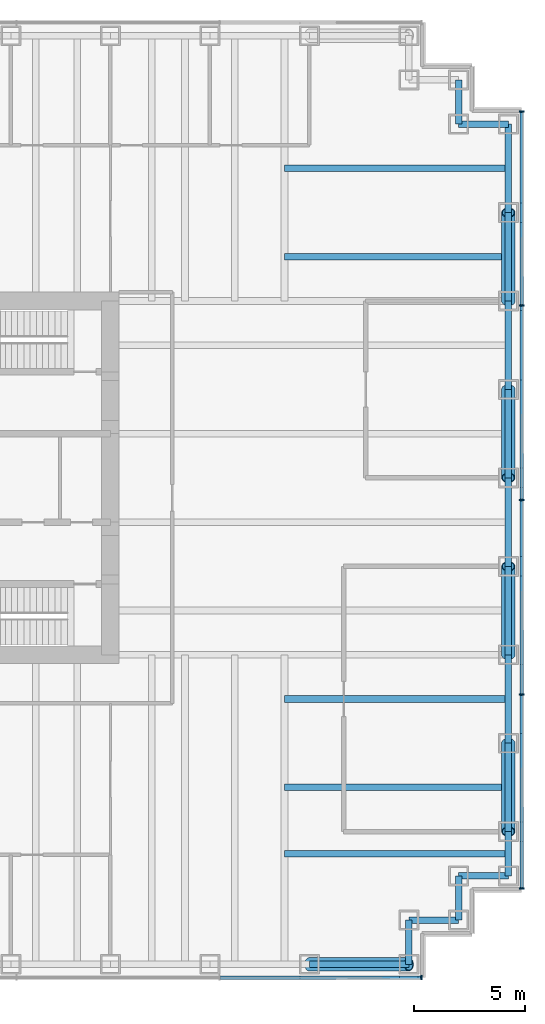
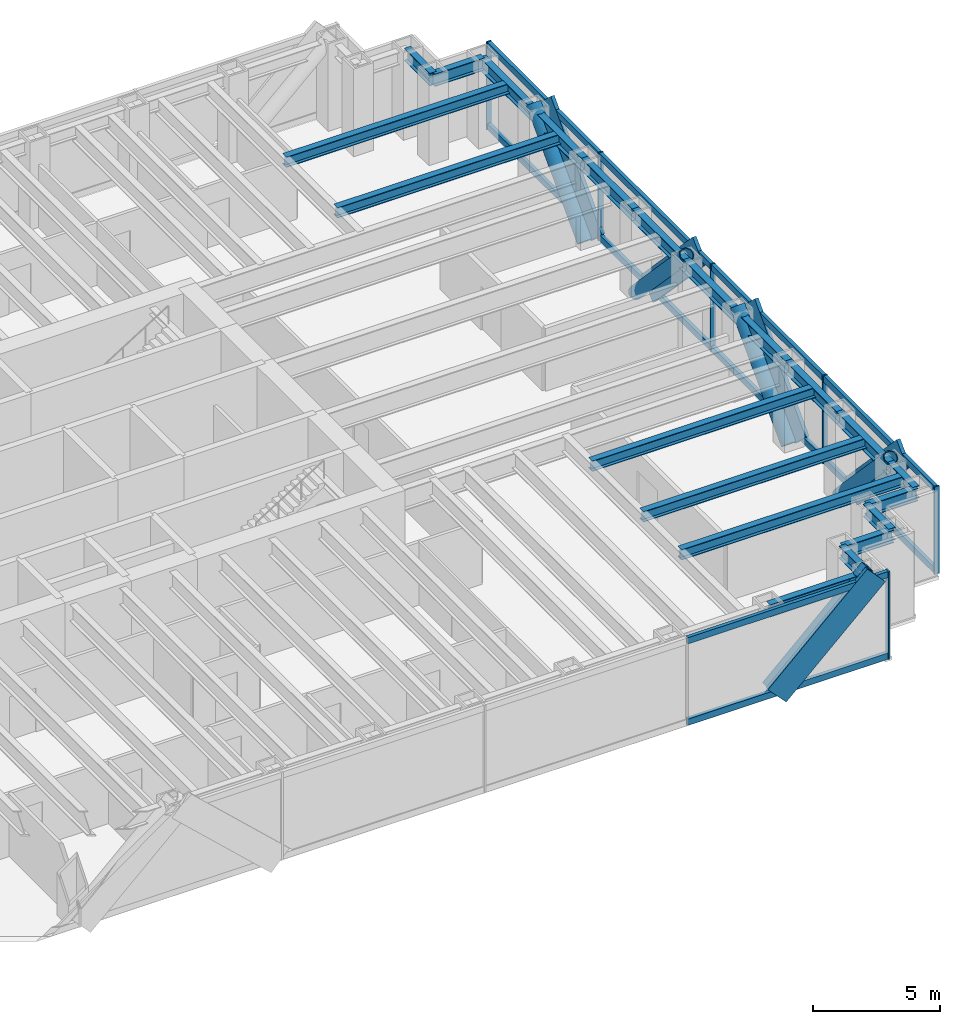
# One storey, part 7 of 14: 26 members, 21 beams, 2 elements without a shape of their own.
"""IFC4 building model written with IfcOpenShell, lengths in metres."""

from ifc_helpers import new_model, si_unit, direction, frame, origin, origin_2d, place, context, subcontext, project, spatial, rectangle, hollow_circle, i_section, extrude, material, material_profile, profile_set, type_object, element, aggregate, save


model = new_model("IFC4")

# Units and contexts
model_context = context("Model", 3, precision=1e-05, world=origin(), true_north=direction((0.0, 1.0)))
body_context = subcontext(model_context, "Body", "Model", "MODEL_VIEW")
ifc_project = project(units=[si_unit("LENGTHUNIT", "METRE"), si_unit("AREAUNIT", "SQUARE_METRE"), si_unit("VOLUMEUNIT", "CUBIC_METRE"), si_unit("PLANEANGLEUNIT", "RADIAN"), si_unit("MASSUNIT", "GRAM", prefix="KILO")], contexts=[model_context])

# Site, building, storey
site_placement = place(None, origin())
site = spatial("IfcSite", under=ifc_project, at=site_placement, CompositionType="ELEMENT")
building_placement = place(site_placement, origin())
building = spatial("IfcBuilding", under=site, at=building_placement, Name="Rheinbord Bourse Tower", CompositionType="ELEMENT")
storey_placement = place(building_placement, frame((0.0, 0.0, 211.0)))
storey = spatial("IfcBuildingStorey", under=building, at=storey_placement, Name="L47", CompositionType="ELEMENT", Elevation=211.0)

# Curtain wall, member
ifc_material_1 = material(Name="Dark glass and black aluminium", Category="aluminium")
curtain_wall_type = type_object("IfcCurtainWallType", Name="CW2 DARK GLASS CURTAIN WALL", PredefinedType="USERDEFINED", material=ifc_material_1)
curtain_wall_1_placement = place(storey_placement, origin())
curtain_wall_1 = element("IfcCurtainWall", 1, at=curtain_wall_1_placement, inside=storey, type_object=curtain_wall_type, Name="Curtain wall CW2 S L47", ObjectType="UNITISED CURTAIN WALL", PredefinedType="USERDEFINED")
ifc_material_2 = material(Name="Black anodised aluminium", Category="aluminium")
ifc_material_profile_1 = material_profile(ifc_material_2, rectangle(XDim=0.159912109375, YDim=1.2099609375, at=origin_2d()), Name="CW2 DIAGONAL MULLION 1210x160")
ifc_profile_set_1 = profile_set([ifc_material_profile_1], Name="Black anodised aluminium")
member_type_1 = type_object("IfcMemberType", Name="CW2 BLACK DIAGONAL MULLION", PredefinedType="USERDEFINED", material=ifc_profile_set_1)
member_1_placement = place(storey_placement, frame((63.0, 1.39990234375, 0.0), z_axis=(0.73105922506, 0.0, 0.682314010889), x_axis=(0.0, 1.0, 0.0)))
member_1 = element("IfcMember", 2, at=member_1_placement, type_object=member_type_1, Name="CW2 diagonal mullion d", ObjectType="DIAGONAL MULLION", PredefinedType="USERDEFINED", context=body_context, shape_type="SweptSolid", body=[
    extrude(rectangle(XDim=0.159912109375, YDim=1.2099609375, at=origin_2d()), origin(), (0.0, 0.0, 1.0), 6.155517578125),
])

# Curtain wall, members
curtain_wall_2_placement = place(storey_placement, origin())
curtain_wall_2 = element("IfcCurtainWall", 3, at=curtain_wall_2_placement, inside=storey, type_object=curtain_wall_type, Name="Curtain wall CW2 E L47", ObjectType="UNITISED CURTAIN WALL", PredefinedType="USERDEFINED")
member_2_placement = place(storey_placement, frame((72.60009765625, 28.0, 0.0), z_axis=(0.0, -0.689659376744, 0.724133926887), x_axis=(1.0, 0.0, 0.0)))
member_2 = element("IfcMember", 4, at=member_2_placement, type_object=member_type_1, Name="CW2 diagonal mullion a", ObjectType="DIAGONAL MULLION", PredefinedType="USERDEFINED", context=body_context, shape_type="SweptSolid", body=[
    extrude(rectangle(XDim=0.159912109375, YDim=1.2099609375, at=origin_2d()), origin(), (0.0, 0.0, 1.0), 5.800048828125),
])
member_3_placement = place(storey_placement, frame((72.60009765625, 16.0, 0.0), z_axis=(0.0, 0.689659376744, 0.724133926887), x_axis=(-1.0, 0.0, 0.0)))
member_3 = element("IfcMember", 5, at=member_3_placement, type_object=member_type_1, Name="CW2 diagonal mullion b", ObjectType="DIAGONAL MULLION", PredefinedType="USERDEFINED", context=body_context, shape_type="SweptSolid", body=[
    extrude(rectangle(XDim=0.159912109375, YDim=1.2099609375, at=origin_2d()), origin(), (0.0, 0.0, 1.0), 5.800048828125),
])
member_4_placement = place(storey_placement, frame((72.60009765625, 12.0, 0.0), z_axis=(0.0, -0.689659376744, 0.724133926887), x_axis=(1.0, 0.0, 0.0)))
member_4 = element("IfcMember", 6, at=member_4_placement, type_object=member_type_1, Name="CW2 diagonal mullion c", ObjectType="DIAGONAL MULLION", PredefinedType="USERDEFINED", context=body_context, shape_type="SweptSolid", body=[
    extrude(rectangle(XDim=0.159912109375, YDim=1.2099609375, at=origin_2d()), origin(), (0.0, 0.0, 1.0), 5.800048828125),
])
member_5_placement = place(storey_placement, frame((72.60009765625, 32.0, 0.0), z_axis=(0.0, 0.689659376744, 0.724133926887), x_axis=(-1.0, 0.0, 0.0)))
member_5 = element("IfcMember", 7, at=member_5_placement, type_object=member_type_1, Name="CW2 diagonal mullion d", ObjectType="DIAGONAL MULLION", PredefinedType="USERDEFINED", context=body_context, shape_type="SweptSolid", body=[
    extrude(rectangle(XDim=0.159912109375, YDim=1.2099609375, at=origin_2d()), origin(), (0.0, 0.0, 1.0), 5.800048828125),
])

# Member
ifc_material_3 = material(Name="Black anodised aluminium", Category="aluminium")
ifc_material_profile_2 = material_profile(ifc_material_3, rectangle(XDim=0.219970703125, YDim=0.070068359375, at=origin_2d()), Name="CW2 MULLION 70x220")
ifc_profile_set_2 = profile_set([ifc_material_profile_2], Name="Black anodised aluminium")
member_type_2 = type_object("IfcMemberType", Name="CW2 BLACK MULLION", PredefinedType="MULLION", material=ifc_profile_set_2)
member_6_placement = place(storey_placement, frame((68.06494140625, 1.39990234375, 0.0), z_axis=(0.0, 0.0, 1.0), x_axis=(0.0, 1.0, 0.0)))
member_6 = element("IfcMember", 8, at=member_6_placement, type_object=member_type_2, Name="CW2 mullion 8", PredefinedType="MULLION", context=body_context, shape_type="SweptSolid", body=[
    extrude(rectangle(XDim=0.219970703125, YDim=0.070068359375, at=origin_2d()), origin(), (0.0, 0.0, 1.0), 4.199951171875),
])

member_7_placement = place(storey_placement, frame((72.60009765625, 5.43505859375, 0.0), z_axis=(0.0, 0.0, 1.0), x_axis=(-1.0, 0.0, 0.0)))
member_7 = element("IfcMember", 9, at=member_7_placement, type_object=member_type_2, Name="CW2 mullion 1", PredefinedType="MULLION", context=body_context, shape_type="SweptSolid", body=[
    extrude(rectangle(XDim=0.219970703125, YDim=0.070068359375, at=origin_2d()), origin(), (0.0, 0.0, 1.0), 4.199951171875),
])

member_8_placement = place(storey_placement, frame((72.60009765625, 14.199951171875, 0.0), z_axis=(0.0, 0.0, 1.0), x_axis=(-1.0, 0.0, 0.0)))
member_8 = element("IfcMember", 10, at=member_8_placement, type_object=member_type_2, Name="CW2 mullion 2", PredefinedType="MULLION", context=body_context, shape_type="SweptSolid", body=[
    extrude(rectangle(XDim=0.219970703125, YDim=0.070068359375, at=origin_2d()), origin(), (0.0, 0.0, 1.0), 4.199951171875),
])

member_9_placement = place(storey_placement, frame((72.60009765625, 23.0, 0.0), z_axis=(0.0, 0.0, 1.0), x_axis=(-1.0, 0.0, 0.0)))
member_9 = element("IfcMember", 11, at=member_9_placement, type_object=member_type_2, Name="CW2 mullion 3", PredefinedType="MULLION", context=body_context, shape_type="SweptSolid", body=[
    extrude(rectangle(XDim=0.219970703125, YDim=0.070068359375, at=origin_2d()), origin(), (0.0, 0.0, 1.0), 4.199951171875),
])

member_10_placement = place(storey_placement, frame((72.60009765625, 31.800048828125, 0.0), z_axis=(0.0, 0.0, 1.0), x_axis=(-1.0, 0.0, 0.0)))
member_10 = element("IfcMember", 12, at=member_10_placement, type_object=member_type_2, Name="CW2 mullion 4", PredefinedType="MULLION", context=body_context, shape_type="SweptSolid", body=[
    extrude(rectangle(XDim=0.219970703125, YDim=0.070068359375, at=origin_2d()), origin(), (0.0, 0.0, 1.0), 4.199951171875),
])

member_11_placement = place(storey_placement, frame((72.60009765625, 40.56494140625, 0.0), z_axis=(0.0, 0.0, 1.0), x_axis=(-1.0, 0.0, 0.0)))
member_11 = element("IfcMember", 13, at=member_11_placement, type_object=member_type_2, Name="CW2 mullion 5", PredefinedType="MULLION", context=body_context, shape_type="SweptSolid", body=[
    extrude(rectangle(XDim=0.219970703125, YDim=0.070068359375, at=origin_2d()), origin(), (0.0, 0.0, 1.0), 4.199951171875),
])

ifc_material_4 = material(Name="Black anodised aluminium", Category="aluminium")
ifc_material_profile_3 = material_profile(ifc_material_4, rectangle(XDim=0.159912109375, YDim=0.300048828125, at=origin_2d()), Name="CW2 TRANSOM 300x160")
ifc_profile_set_3 = profile_set([ifc_material_profile_3], Name="Black anodised aluminium")
member_type_3 = type_object("IfcMemberType", Name="CW2 BLACK TRANSOM", PredefinedType="USERDEFINED", material=ifc_profile_set_3)
member_12_placement = place(storey_placement, frame((58.963623046875, 1.39990234375, 0.14990234375), z_axis=(1.0, 0.0, 0.0), x_axis=(0.0, 1.0, 0.0)))
member_12 = element("IfcMember", 14, at=member_12_placement, type_object=member_type_3, Name="CW2 transom 7.1", ObjectType="TRANSOM", PredefinedType="USERDEFINED", context=body_context, shape_type="SweptSolid", body=[
    extrude(rectangle(XDim=0.159912109375, YDim=0.300048828125, at=origin_2d()), origin(), (0.0, 0.0, 1.0), 9.06640625),
])

member_13_placement = place(storey_placement, frame((58.963623046875, 1.39990234375, 4.050048828125), z_axis=(1.0, 0.0, 0.0), x_axis=(0.0, 1.0, 0.0)))
member_13 = element("IfcMember", 15, at=member_13_placement, type_object=member_type_3, Name="CW2 transom 7.2", ObjectType="TRANSOM", PredefinedType="USERDEFINED", context=body_context, shape_type="SweptSolid", body=[
    extrude(rectangle(XDim=0.159912109375, YDim=0.300048828125, at=origin_2d()), origin(), (0.0, 0.0, 1.0), 9.06640625),
])

aggregate(curtain_wall_1, [member_6, member_12, member_13, member_1])

member_14_placement = place(storey_placement, frame((72.60009765625, 5.469970703125, 0.14990234375), z_axis=(0.0, 1.0, 0.0), x_axis=(-1.0, 0.0, 0.0)))
member_14 = element("IfcMember", 16, at=member_14_placement, type_object=member_type_3, Name="CW2 transom 1.1", ObjectType="TRANSOM", PredefinedType="USERDEFINED", context=body_context, shape_type="SweptSolid", body=[
    extrude(rectangle(XDim=0.159912109375, YDim=0.300048828125, at=origin_2d()), origin(), (0.0, 0.0, 1.0), 8.695068359375),
])

member_15_placement = place(storey_placement, frame((72.60009765625, 5.469970703125, 4.050048828125), z_axis=(0.0, 1.0, 0.0), x_axis=(-1.0, 0.0, 0.0)))
member_15 = element("IfcMember", 17, at=member_15_placement, type_object=member_type_3, Name="CW2 transom 1.2", ObjectType="TRANSOM", PredefinedType="USERDEFINED", context=body_context, shape_type="SweptSolid", body=[
    extrude(rectangle(XDim=0.159912109375, YDim=0.300048828125, at=origin_2d()), origin(), (0.0, 0.0, 1.0), 8.695068359375),
])

member_16_placement = place(storey_placement, frame((72.60009765625, 14.235107421875, 0.14990234375), z_axis=(0.0, 1.0, 0.0), x_axis=(-1.0, 0.0, 0.0)))
member_16 = element("IfcMember", 18, at=member_16_placement, type_object=member_type_3, Name="CW2 transom 2.1", ObjectType="TRANSOM", PredefinedType="USERDEFINED", context=body_context, shape_type="SweptSolid", body=[
    extrude(rectangle(XDim=0.159912109375, YDim=0.300048828125, at=origin_2d()), origin(), (0.0, 0.0, 1.0), 8.72998046875),
])

member_17_placement = place(storey_placement, frame((72.60009765625, 14.235107421875, 4.050048828125), z_axis=(0.0, 1.0, 0.0), x_axis=(-1.0, 0.0, 0.0)))
member_17 = element("IfcMember", 19, at=member_17_placement, type_object=member_type_3, Name="CW2 transom 2.2", ObjectType="TRANSOM", PredefinedType="USERDEFINED", context=body_context, shape_type="SweptSolid", body=[
    extrude(rectangle(XDim=0.159912109375, YDim=0.300048828125, at=origin_2d()), origin(), (0.0, 0.0, 1.0), 8.72998046875),
])

member_18_placement = place(storey_placement, frame((72.60009765625, 23.034912109375, 0.14990234375), z_axis=(0.0, 1.0, 0.0), x_axis=(-1.0, 0.0, 0.0)))
member_18 = element("IfcMember", 20, at=member_18_placement, type_object=member_type_3, Name="CW2 transom 3.1", ObjectType="TRANSOM", PredefinedType="USERDEFINED", context=body_context, shape_type="SweptSolid", body=[
    extrude(rectangle(XDim=0.159912109375, YDim=0.300048828125, at=origin_2d()), origin(), (0.0, 0.0, 1.0), 8.72998046875),
])

member_19_placement = place(storey_placement, frame((72.60009765625, 23.034912109375, 4.050048828125), z_axis=(0.0, 1.0, 0.0), x_axis=(-1.0, 0.0, 0.0)))
member_19 = element("IfcMember", 21, at=member_19_placement, type_object=member_type_3, Name="CW2 transom 3.2", ObjectType="TRANSOM", PredefinedType="USERDEFINED", context=body_context, shape_type="SweptSolid", body=[
    extrude(rectangle(XDim=0.159912109375, YDim=0.300048828125, at=origin_2d()), origin(), (0.0, 0.0, 1.0), 8.72998046875),
])

member_20_placement = place(storey_placement, frame((72.60009765625, 31.8349609375, 0.14990234375), z_axis=(0.0, 1.0, 0.0), x_axis=(-1.0, 0.0, 0.0)))
member_20 = element("IfcMember", 22, at=member_20_placement, type_object=member_type_3, Name="CW2 transom 4.1", ObjectType="TRANSOM", PredefinedType="USERDEFINED", context=body_context, shape_type="SweptSolid", body=[
    extrude(rectangle(XDim=0.159912109375, YDim=0.300048828125, at=origin_2d()), origin(), (0.0, 0.0, 1.0), 8.695068359375),
])

member_21_placement = place(storey_placement, frame((72.60009765625, 31.8349609375, 4.050048828125), z_axis=(0.0, 1.0, 0.0), x_axis=(-1.0, 0.0, 0.0)))
member_21 = element("IfcMember", 23, at=member_21_placement, type_object=member_type_3, Name="CW2 transom 4.2", ObjectType="TRANSOM", PredefinedType="USERDEFINED", context=body_context, shape_type="SweptSolid", body=[
    extrude(rectangle(XDim=0.159912109375, YDim=0.300048828125, at=origin_2d()), origin(), (0.0, 0.0, 1.0), 8.695068359375),
])

aggregate(curtain_wall_2, [member_7, member_8, member_9, member_10, member_11, member_14, member_15, member_16, member_17, member_18, member_19, member_20, member_21, member_2, member_3, member_4, member_5])

# Members
ifc_material_5 = material(Name="Steel S460", Category="steel")
ifc_material_profile_4 = material_profile(ifc_material_5, hollow_circle(Radius=0.304931640625, WallThickness=0.0400390625, at=origin_2d()), Name="CHS 610x40")
ifc_profile_set_4 = profile_set([ifc_material_profile_4], Name="Steel S460")
member_type_4 = type_object("IfcMemberType", Name="MEGABRACE CHS 610x40", PredefinedType="BRACE", material=ifc_profile_set_4)
member_22_placement = place(storey_placement, frame((63.0, 2.0, 0.0), z_axis=(0.73105922506, 0.0, 0.682314010889), x_axis=(0.0, 1.0, 0.0)))
element("IfcMember", 24, at=member_22_placement, inside=storey, type_object=member_type_4, Name="Megabrace S face line d L47", PredefinedType="BRACE", context=body_context, shape_type="SweptSolid", body=[
    extrude(hollow_circle(Radius=0.304931640625, WallThickness=0.0400390625, at=origin_2d()), origin(), (0.0, 0.0, 1.0), 6.155517578125),
])
for number, where, z_axis, x_axis, name in (
    (25, (72.0, 28.0, 0.0), (0.0, -0.689659376744, 0.724133926887), (1.0, 0.0, 0.0), "Megabrace E face line a L47"),
    (26, (72.0, 16.0, 0.0), (0.0, 0.689659376744, 0.724133926887), (-1.0, 0.0, 0.0), "Megabrace E face line b L47"),
    (27, (72.0, 12.0, 0.0), (0.0, -0.689659376744, 0.724133926887), (1.0, 0.0, 0.0), "Megabrace E face line c L47"),
    (28, (72.0, 32.0, 0.0), (0.0, 0.689659376744, 0.724133926887), (-1.0, 0.0, 0.0), "Megabrace E face line d L47"),
):
    element("IfcMember", number, at=place(storey_placement, frame(where, z_axis=z_axis, x_axis=x_axis)), inside=storey, type_object=member_type_4, Name=name, PredefinedType="BRACE", context=body_context, shape_type="SweptSolid", body=[
        extrude(hollow_circle(Radius=0.304931640625, WallThickness=0.0400390625, at=origin_2d()), origin(), (0.0, 0.0, 1.0), 5.800048828125),
    ])

# Beams
ifc_material_6 = material(Name="Steel S460", Category="steel")
ifc_material_profile_5 = material_profile(ifc_material_6, i_section(OverallWidth=0.300048828125, OverallDepth=0.60009765625, WebThickness=0.015380859375, FlangeThickness=0.030029296875, at=origin_2d()), Name="HEB 600")
ifc_profile_set_5 = profile_set([ifc_material_profile_5], Name="Steel S460")
beam_type_1 = type_object("IfcBeamType", Name="SPANDREL HEB 600", PredefinedType="SPANDREL", material=ifc_profile_set_5)
beam_1_placement = place(storey_placement, frame((63.0, 2.0, 3.739990234375), z_axis=(1.0, 0.0, 0.0), x_axis=(0.0, 1.0, 0.0)))
element("IfcBeam", 29, at=beam_1_placement, inside=storey, type_object=beam_type_1, Name="Spandrel S-63-SE-E under L48", PredefinedType="SPANDREL", context=body_context, shape_type="SweptSolid", body=[
    extrude(i_section(OverallWidth=0.300048828125, OverallDepth=0.60009765625, WebThickness=0.015380859375, FlangeThickness=0.030029296875, at=origin_2d()), origin(), (0.0, 0.0, 1.0), 4.5),
])
beam_2_placement = place(storey_placement, frame((67.5, 2.0, 3.739990234375), z_axis=(0.0, 1.0, 0.0), x_axis=(-1.0, 0.0, 0.0)))
element("IfcBeam", 30, at=beam_2_placement, inside=storey, type_object=beam_type_1, Name="Spandrel SE-E-SE-D under L48", PredefinedType="SPANDREL", context=body_context, shape_type="SweptSolid", body=[
    extrude(i_section(OverallWidth=0.300048828125, OverallDepth=0.60009765625, WebThickness=0.015380859375, FlangeThickness=0.030029296875, at=origin_2d()), origin(), (0.0, 0.0, 1.0), 2.0),
])
beam_3_placement = place(storey_placement, frame((67.5, 4.0, 3.739990234375), z_axis=(1.0, 0.0, 0.0), x_axis=(0.0, 1.0, 0.0)))
element("IfcBeam", 31, at=beam_3_placement, inside=storey, type_object=beam_type_1, Name="Spandrel SE-D-SE-C under L48", PredefinedType="SPANDREL", context=body_context, shape_type="SweptSolid", body=[
    extrude(i_section(OverallWidth=0.300048828125, OverallDepth=0.60009765625, WebThickness=0.015380859375, FlangeThickness=0.030029296875, at=origin_2d()), origin(), (0.0, 0.0, 1.0), 2.25),
])
beam_4_placement = place(storey_placement, frame((69.75, 4.0, 3.739990234375), z_axis=(0.0, 1.0, 0.0), x_axis=(-1.0, 0.0, 0.0)))
element("IfcBeam", 32, at=beam_4_placement, inside=storey, type_object=beam_type_1, Name="Spandrel SE-C-SE-B under L48", PredefinedType="SPANDREL", context=body_context, shape_type="SweptSolid", body=[
    extrude(i_section(OverallWidth=0.300048828125, OverallDepth=0.60009765625, WebThickness=0.015380859375, FlangeThickness=0.030029296875, at=origin_2d()), origin(), (0.0, 0.0, 1.0), 2.0),
])
beam_5_placement = place(storey_placement, frame((69.75, 6.0, 3.739990234375), z_axis=(1.0, 0.0, 0.0), x_axis=(0.0, 1.0, 0.0)))
element("IfcBeam", 33, at=beam_5_placement, inside=storey, type_object=beam_type_1, Name="Spandrel SE-B-SE-A under L48", PredefinedType="SPANDREL", context=body_context, shape_type="SweptSolid", body=[
    extrude(i_section(OverallWidth=0.300048828125, OverallDepth=0.60009765625, WebThickness=0.015380859375, FlangeThickness=0.030029296875, at=origin_2d()), origin(), (0.0, 0.0, 1.0), 2.25),
])
beam_6_placement = place(storey_placement, frame((72.0, 6.0, 3.739990234375), z_axis=(0.0, 1.0, 0.0), x_axis=(-1.0, 0.0, 0.0)))
element("IfcBeam", 34, at=beam_6_placement, inside=storey, type_object=beam_type_1, Name="Spandrel SE-A-E-8 under L48", PredefinedType="SPANDREL", context=body_context, shape_type="SweptSolid", body=[
    extrude(i_section(OverallWidth=0.300048828125, OverallDepth=0.60009765625, WebThickness=0.015380859375, FlangeThickness=0.030029296875, at=origin_2d()), origin(), (0.0, 0.0, 1.0), 2.0),
])
for number, where, z_axis, x_axis, name in (
    (35, (72.0, 8.0, 3.739990234375), (0.0, 1.0, 0.0), (-1.0, 0.0, 0.0), "Spandrel E-8-E-12 under L48"),
    (36, (72.0, 12.0, 3.739990234375), (0.0, 1.0, 0.0), (-1.0, 0.0, 0.0), "Spandrel E-12-E-16 under L48"),
    (37, (72.0, 16.0, 3.739990234375), (0.0, 1.0, 0.0), (-1.0, 0.0, 0.0), "Spandrel E-16-E-20 under L48"),
    (38, (72.0, 20.0, 3.739990234375), (0.0, 1.0, 0.0), (-1.0, 0.0, 0.0), "Spandrel E-20-E-24 under L48"),
    (39, (72.0, 24.0, 3.739990234375), (0.0, 1.0, 0.0), (-1.0, 0.0, 0.0), "Spandrel E-24-E-28 under L48"),
    (40, (72.0, 28.0, 3.739990234375), (0.0, 1.0, 0.0), (-1.0, 0.0, 0.0), "Spandrel E-28-E-32 under L48"),
    (41, (72.0, 32.0, 3.739990234375), (0.0, 1.0, 0.0), (-1.0, 0.0, 0.0), "Spandrel E-32-E-36 under L48"),
    (42, (72.0, 36.0, 3.739990234375), (0.0, 1.0, 0.0), (-1.0, 0.0, 0.0), "Spandrel E-36-NE-A under L48"),
):
    element("IfcBeam", number, at=place(storey_placement, frame(where, z_axis=z_axis, x_axis=x_axis)), inside=storey, type_object=beam_type_1, Name=name, PredefinedType="SPANDREL", context=body_context, shape_type="SweptSolid", body=[
        extrude(i_section(OverallWidth=0.300048828125, OverallDepth=0.60009765625, WebThickness=0.015380859375, FlangeThickness=0.030029296875, at=origin_2d()), origin(), (0.0, 0.0, 1.0), 4.0),
    ])
beam_7_placement = place(storey_placement, frame((72.0, 40.0, 3.739990234375), z_axis=(-1.0, 0.0, 0.0), x_axis=(0.0, -1.0, 0.0)))
element("IfcBeam", 43, at=beam_7_placement, inside=storey, type_object=beam_type_1, Name="Spandrel NE-A-NE-B under L48", PredefinedType="SPANDREL", context=body_context, shape_type="SweptSolid", body=[
    extrude(i_section(OverallWidth=0.300048828125, OverallDepth=0.60009765625, WebThickness=0.015380859375, FlangeThickness=0.030029296875, at=origin_2d()), origin(), (0.0, 0.0, 1.0), 2.25),
])
beam_8_placement = place(storey_placement, frame((69.75, 40.0, 3.739990234375), z_axis=(0.0, 1.0, 0.0), x_axis=(-1.0, 0.0, 0.0)))
element("IfcBeam", 44, at=beam_8_placement, inside=storey, type_object=beam_type_1, Name="Spandrel NE-B-NE-C under L48", PredefinedType="SPANDREL", context=body_context, shape_type="SweptSolid", body=[
    extrude(i_section(OverallWidth=0.300048828125, OverallDepth=0.60009765625, WebThickness=0.015380859375, FlangeThickness=0.030029296875, at=origin_2d()), origin(), (0.0, 0.0, 1.0), 2.0),
])
ifc_material_7 = material(Name="Steel S460", Category="steel")
ifc_material_profile_6 = material_profile(ifc_material_7, i_section(OverallWidth=0.300048828125, OverallDepth=0.5, WebThickness=0.014404296875, FlangeThickness=0.028076171875, at=origin_2d()), Name="HEB 500")
ifc_profile_set_6 = profile_set([ifc_material_profile_6], Name="Steel S460")
beam_type_2 = type_object("IfcBeamType", Name="TIE BEAM HEB 500", PredefinedType="JOIST", material=ifc_profile_set_6)
for number, where, z_axis, x_axis, name in (
    (45, (61.875, 7.0, 3.7900390625), (1.0, 0.0, 0.0), (0.0, 1.0, 0.0), "Tie east 7 L48"),
    (46, (61.875, 10.0, 3.7900390625), (1.0, 0.0, 0.0), (0.0, 1.0, 0.0), "Tie east 10 L48"),
    (47, (61.875, 14.0, 3.7900390625), (1.0, 0.0, 0.0), (0.0, 1.0, 0.0), "Tie east 14 L48"),
    (48, (61.875, 34.0, 3.7900390625), (1.0, 0.0, 0.0), (0.0, 1.0, 0.0), "Tie east 34 L48"),
    (49, (61.875, 38.0, 3.7900390625), (1.0, 0.0, 0.0), (0.0, 1.0, 0.0), "Tie east 38 L48"),
):
    element("IfcBeam", number, at=place(storey_placement, frame(where, z_axis=z_axis, x_axis=x_axis)), inside=storey, type_object=beam_type_2, Name=name, PredefinedType="JOIST", context=body_context, shape_type="SweptSolid", body=[
        extrude(i_section(OverallWidth=0.300048828125, OverallDepth=0.5, WebThickness=0.014404296875, FlangeThickness=0.028076171875, at=origin_2d()), origin(), (0.0, 0.0, 1.0), 10.125),
    ])

save(model, "model.ifc")
